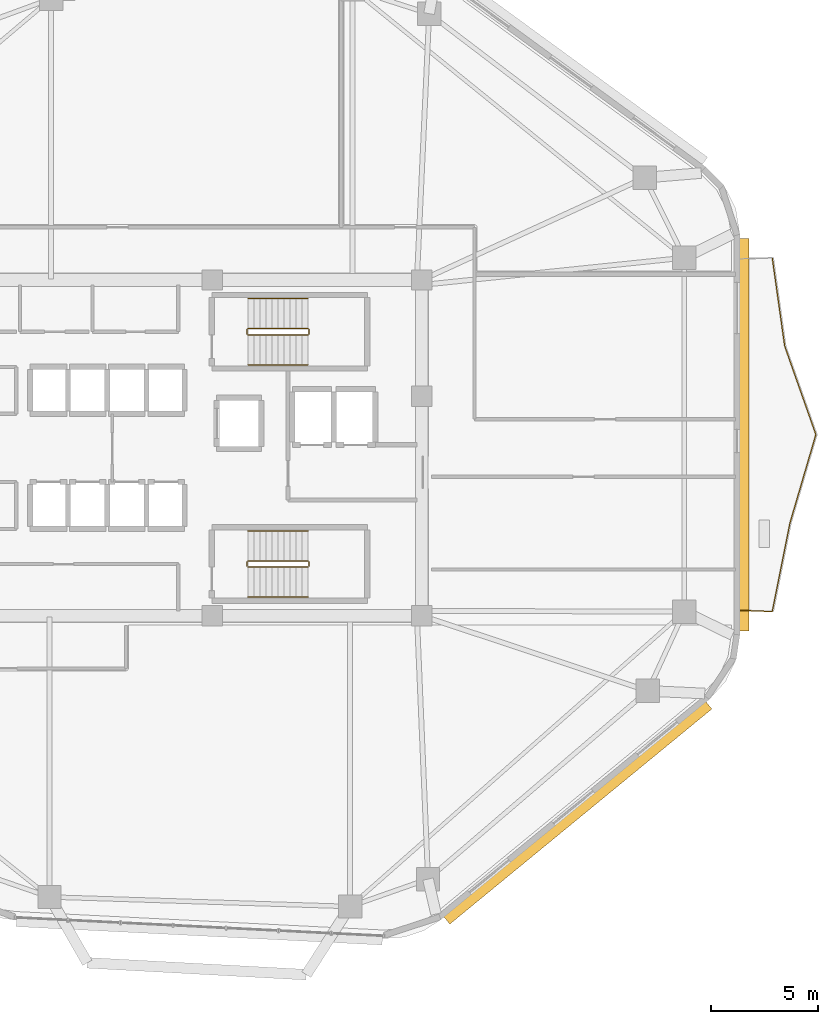
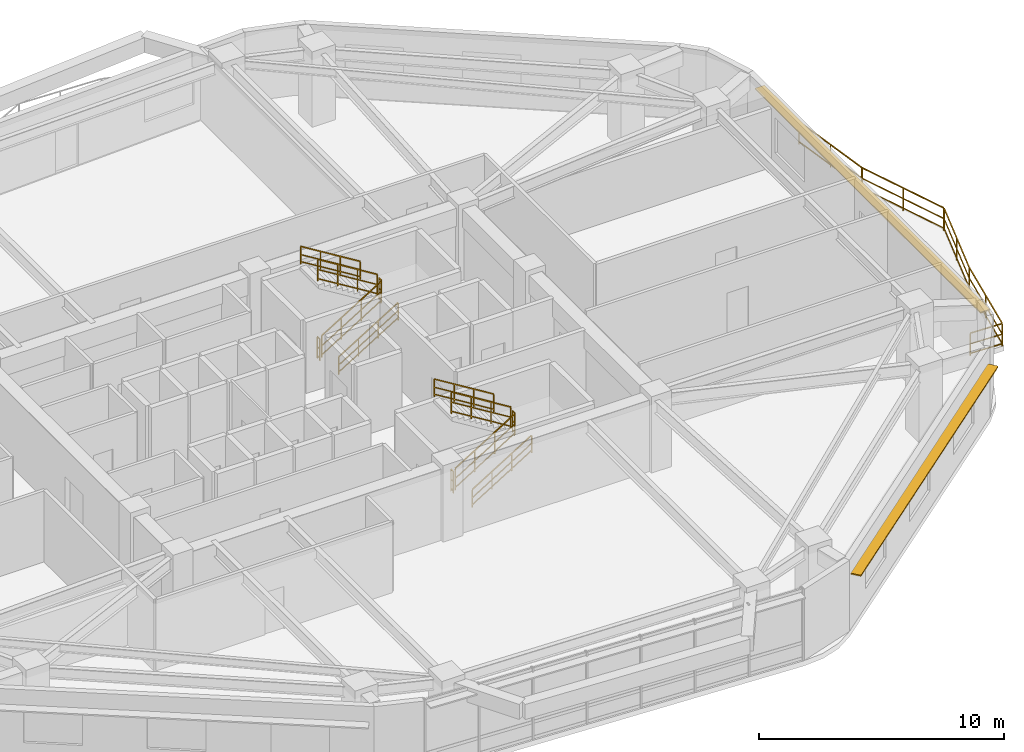
# One storey, part 13 of 14: 17 railings, 2 shading devices.
"""IFC4 building model written with IfcOpenShell, lengths in metres."""

from ifc_helpers import new_model, si_unit, direction, frame, origin, origin_2d, place, context, subcontext, project, spatial, rectangle, extrude, material, layer, layer_set, type_object, element, save


model = new_model("IFC4")

# Units and contexts
model_context = context("Model", 3, precision=1e-05, world=origin(), true_north=direction((0.0, 1.0)))
body_context = subcontext(model_context, "Body", "Model", "MODEL_VIEW")
ifc_project = project(units=[si_unit("LENGTHUNIT", "METRE"), si_unit("AREAUNIT", "SQUARE_METRE"), si_unit("VOLUMEUNIT", "CUBIC_METRE"), si_unit("PLANEANGLEUNIT", "RADIAN"), si_unit("MASSUNIT", "GRAM", prefix="KILO")], contexts=[model_context])

# Site, building, storey
site_placement = place(None, origin())
site = spatial("IfcSite", under=ifc_project, at=site_placement, CompositionType="ELEMENT")
building_placement = place(site_placement, origin())
building = spatial("IfcBuilding", under=site, at=building_placement, Name="Zulverin Broadcast Headquarters", CompositionType="ELEMENT")
storey_placement = place(building_placement, frame((0.0, 0.0, 140.199951171875)))
storey = spatial("IfcBuildingStorey", under=building, at=storey_placement, Name="L35", CompositionType="ELEMENT", Elevation=140.199951171875)

# Railings
ifc_material_1 = material(Name="Brushed stainless steel & laminated glass balustrade", Category="steel")
railing_type_1 = type_object("IfcRailingType", Name="RL-GUARD-1150", PredefinedType="GUARDRAIL", material=ifc_material_1)
railing_1_placement = place(storey_placement, frame((63.239990234375, 17.578369140625, 0.0)))
element("IfcRailing", 1, at=railing_1_placement, inside=storey, type_object=railing_type_1, Name="L35 Vertical-Forest Balcony Guardrail BAL_E Segment 01", PredefinedType="GUARDRAIL", context=body_context, shape_type="SweptSolid", body=[
    extrude(rectangle(XDim=0.048095703125, YDim=0.048095703125, at=origin_2d()), frame((0.0, 0.0, 1.1259765625), z_axis=(0.999174410196, -0.040626321628, 0.0), x_axis=(0.040626321628, 0.999174410196, 0.0)), (0.0, 0.0, 1.0), 1.46630859375),
    extrude(rectangle(XDim=0.0419921875, YDim=0.0419921875, at=origin_2d()), frame((0.0, 0.0, 0.597900390625), z_axis=(0.999174410196, -0.040626321628, 0.0), x_axis=(0.040626321628, 0.999174410196, 0.0)), (0.0, 0.0, 1.0), 1.46630859375),
    extrude(rectangle(XDim=0.0419921875, YDim=0.0419921875, at=origin_2d()), frame((0.0, 0.0, 0.1201171875), z_axis=(0.999174410196, -0.040626321628, 0.0), x_axis=(0.040626321628, 0.999174410196, 0.0)), (0.0, 0.0, 1.0), 1.46630859375),
    extrude(rectangle(XDim=0.0419921875, YDim=0.0419921875, at=origin_2d()), origin(), (0.0, 0.0, 1.0), 1.101806640625),
    extrude(rectangle(XDim=0.0419921875, YDim=0.0419921875, at=origin_2d()), frame((1.465087890625, -0.0595703125, 0.0)), (0.0, 0.0, 1.0), 1.101806640625),
])
railing_2_placement = place(storey_placement, frame((64.722900390625, 17.532958984375, 0.0)))
element("IfcRailing", 2, at=railing_2_placement, inside=storey, type_object=railing_type_1, Name="L35 Vertical-Forest Balcony Guardrail BAL_E Segment 02", PredefinedType="GUARDRAIL", context=body_context, shape_type="SweptSolid", body=[
    extrude(rectangle(XDim=0.048095703125, YDim=0.048095703125, at=origin_2d()), frame((0.0, 0.0, 1.1259765625), z_axis=(0.196339415565, 0.980535993167, 0.0), x_axis=(-0.980535993167, 0.196339415565, 0.0)), (0.0, 0.0, 1.0), 4.205322265625),
    extrude(rectangle(XDim=0.0419921875, YDim=0.0419921875, at=origin_2d()), frame((0.0, 0.0, 0.597900390625), z_axis=(0.196339415565, 0.980535993167, 0.0), x_axis=(-0.980535993167, 0.196339415565, 0.0)), (0.0, 0.0, 1.0), 4.205322265625),
    extrude(rectangle(XDim=0.0419921875, YDim=0.0419921875, at=origin_2d()), frame((0.0, 0.0, 0.1201171875), z_axis=(0.196339415565, 0.980535993167, 0.0), x_axis=(-0.980535993167, 0.196339415565, 0.0)), (0.0, 0.0, 1.0), 4.205322265625),
    extrude(rectangle(XDim=0.0419921875, YDim=0.0419921875, at=origin_2d()), origin(), (0.0, 0.0, 1.0), 1.101806640625),
    extrude(rectangle(XDim=0.0419921875, YDim=0.0419921875, at=origin_2d()), frame((0.412841796875, 2.061767578125, 0.0)), (0.0, 0.0, 1.0), 1.101806640625),
    extrude(rectangle(XDim=0.0419921875, YDim=0.0419921875, at=origin_2d()), frame((0.82568359375, 4.12353515625, 0.0)), (0.0, 0.0, 1.0), 1.101806640625),
])
railing_3_placement = place(storey_placement, frame((65.555908203125, 21.685546875, 0.0)))
element("IfcRailing", 3, at=railing_3_placement, inside=storey, type_object=railing_type_1, Name="L35 Vertical-Forest Balcony Guardrail BAL_E Segment 03", PredefinedType="GUARDRAIL", context=body_context, shape_type="SweptSolid", body=[
    extrude(rectangle(XDim=0.048095703125, YDim=0.048095703125, at=origin_2d()), frame((0.0, 0.0, 1.1259765625), z_axis=(0.281511225046, 0.959557934766, 0.0), x_axis=(-0.959557934766, 0.281511225046, 0.0)), (0.0, 0.0, 1.0), 4.298095703125),
    extrude(rectangle(XDim=0.0419921875, YDim=0.0419921875, at=origin_2d()), frame((0.0, 0.0, 0.597900390625), z_axis=(0.281511225046, 0.959557934766, 0.0), x_axis=(-0.959557934766, 0.281511225046, 0.0)), (0.0, 0.0, 1.0), 4.298095703125),
    extrude(rectangle(XDim=0.0419921875, YDim=0.0419921875, at=origin_2d()), frame((0.0, 0.0, 0.1201171875), z_axis=(0.281511225046, 0.959557934766, 0.0), x_axis=(-0.959557934766, 0.281511225046, 0.0)), (0.0, 0.0, 1.0), 4.298095703125),
    extrude(rectangle(XDim=0.0419921875, YDim=0.0419921875, at=origin_2d()), origin(), (0.0, 0.0, 1.0), 1.101806640625),
    extrude(rectangle(XDim=0.0419921875, YDim=0.0419921875, at=origin_2d()), frame((0.60498046875, 2.06201171875, 0.0)), (0.0, 0.0, 1.0), 1.101806640625),
    extrude(rectangle(XDim=0.0419921875, YDim=0.0419921875, at=origin_2d()), frame((1.2099609375, 4.124267578125, 0.0)), (0.0, 0.0, 1.0), 1.101806640625),
])
railing_4_placement = place(storey_placement, frame((66.764892578125, 25.838134765625, 0.0)))
element("IfcRailing", 4, at=railing_4_placement, inside=storey, type_object=railing_type_1, Name="L35 Vertical-Forest Balcony Guardrail BAL_E Segment 04", PredefinedType="GUARDRAIL", context=body_context, shape_type="SweptSolid", body=[
    extrude(rectangle(XDim=0.048095703125, YDim=0.048095703125, at=origin_2d()), frame((0.0, 0.0, 1.1259765625), z_axis=(-0.33242589248, 0.943129379252, 0.0), x_axis=(-0.943129379252, -0.33242589248, 0.0)), (0.0, 0.0, 1.0), 4.37353515625),
    extrude(rectangle(XDim=0.0419921875, YDim=0.0419921875, at=origin_2d()), frame((0.0, 0.0, 0.597900390625), z_axis=(-0.33242589248, 0.943129379252, 0.0), x_axis=(-0.943129379252, -0.33242589248, 0.0)), (0.0, 0.0, 1.0), 4.37353515625),
    extrude(rectangle(XDim=0.0419921875, YDim=0.0419921875, at=origin_2d()), frame((0.0, 0.0, 0.1201171875), z_axis=(-0.33242589248, 0.943129379252, 0.0), x_axis=(-0.943129379252, -0.33242589248, 0.0)), (0.0, 0.0, 1.0), 4.37353515625),
    extrude(rectangle(XDim=0.0419921875, YDim=0.0419921875, at=origin_2d()), origin(), (0.0, 0.0, 1.0), 1.101806640625),
    extrude(rectangle(XDim=0.0419921875, YDim=0.0419921875, at=origin_2d()), frame((-0.72705078125, 2.0625, 0.0)), (0.0, 0.0, 1.0), 1.101806640625),
    extrude(rectangle(XDim=0.0419921875, YDim=0.0419921875, at=origin_2d()), frame((-1.453857421875, 4.124755859375, 0.0)), (0.0, 0.0, 1.0), 1.101806640625),
])
railing_5_placement = place(storey_placement, frame((65.303955078125, 29.991943359375, 0.0)))
element("IfcRailing", 5, at=railing_5_placement, inside=storey, type_object=railing_type_1, Name="L35 Vertical-Forest Balcony Guardrail BAL_E Segment 05", PredefinedType="GUARDRAIL", context=body_context, shape_type="SweptSolid", body=[
    extrude(rectangle(XDim=0.048095703125, YDim=0.048095703125, at=origin_2d()), frame((0.0, 0.0, 1.1259765625), z_axis=(-0.139721969287, 0.990190775204, 0.0), x_axis=(-0.990190775204, -0.139721969287, 0.0)), (0.0, 0.0, 1.0), 4.163818359375),
    extrude(rectangle(XDim=0.0419921875, YDim=0.0419921875, at=origin_2d()), frame((0.0, 0.0, 0.597900390625), z_axis=(-0.139721969287, 0.990190775204, 0.0), x_axis=(-0.990190775204, -0.139721969287, 0.0)), (0.0, 0.0, 1.0), 4.163818359375),
    extrude(rectangle(XDim=0.0419921875, YDim=0.0419921875, at=origin_2d()), frame((0.0, 0.0, 0.1201171875), z_axis=(-0.139721969287, 0.990190775204, 0.0), x_axis=(-0.990190775204, -0.139721969287, 0.0)), (0.0, 0.0, 1.0), 4.163818359375),
    extrude(rectangle(XDim=0.0419921875, YDim=0.0419921875, at=origin_2d()), origin(), (0.0, 0.0, 1.0), 1.101806640625),
    extrude(rectangle(XDim=0.0419921875, YDim=0.0419921875, at=origin_2d()), frame((-0.291015625, 2.0615234375, 0.0)), (0.0, 0.0, 1.0), 1.101806640625),
    extrude(rectangle(XDim=0.0419921875, YDim=0.0419921875, at=origin_2d()), frame((-0.581787109375, 4.123046875, 0.0)), (0.0, 0.0, 1.0), 1.101806640625),
])
ifc_material_2 = material(Name="Painted galvanized steel tubular guardrail S355JR", Category="steel")
railing_type_2 = type_object("IfcRailingType", Name="RL-ST-GUARD", PredefinedType="GUARDRAIL", material=ifc_material_2)
railing_6_placement = place(storey_placement, frame((40.1298828125, 30.5, 0.1728515625)))
element("IfcRailing", 6, at=railing_6_placement, inside=storey, type_object=railing_type_2, Name="L35 ST-1 stair guard 1", PredefinedType="GUARDRAIL", context=body_context, shape_type="SweptSolid", body=[
    extrude(rectangle(XDim=0.048095703125, YDim=0.048095703125, at=origin_2d()), frame((0.0, 0.0, 1.076171875), z_axis=(0.851089632645, 0.0, 0.525020415988), x_axis=(0.0, 1.0, 0.0)), (0.0, 0.0, 1.0), 3.2900390625),
    extrude(rectangle(XDim=0.0419921875, YDim=0.0419921875, at=origin_2d()), frame((0.0, 0.0, 0.572021484375), z_axis=(0.851089632645, 0.0, 0.525020415988), x_axis=(0.0, 1.0, 0.0)), (0.0, 0.0, 1.0), 3.2900390625),
    extrude(rectangle(XDim=0.0419921875, YDim=0.0419921875, at=origin_2d()), frame((0.0, 0.0, 0.1201171875), z_axis=(0.851089632645, 0.0, 0.525020415988), x_axis=(0.0, 1.0, 0.0)), (0.0, 0.0, 1.0), 3.2900390625),
    extrude(rectangle(XDim=0.0419921875, YDim=0.0419921875, at=origin_2d()), origin(), (0.0, 0.0, 1.0), 1.052001953125),
    extrude(rectangle(XDim=0.0419921875, YDim=0.0419921875, at=origin_2d()), frame((0.933349609375, 0.0, 0.57568359375)), (0.0, 0.0, 1.0), 1.052001953125),
    extrude(rectangle(XDim=0.0419921875, YDim=0.0419921875, at=origin_2d()), frame((1.86669921875, 0.0, 1.151611328125)), (0.0, 0.0, 1.0), 1.052001953125),
    extrude(rectangle(XDim=0.0419921875, YDim=0.0419921875, at=origin_2d()), frame((2.800048828125, 0.0, 1.727294921875)), (0.0, 0.0, 1.0), 1.052001953125),
])
railing_7_placement = place(storey_placement, frame((42.97998046875, 30.550048828125, 1.900146484375)))
element("IfcRailing", 7, at=railing_7_placement, inside=storey, type_object=railing_type_2, Name="L35 ST-1 stair guard 2", PredefinedType="GUARDRAIL", context=body_context, shape_type="SweptSolid", body=[
    extrude(rectangle(XDim=0.048095703125, YDim=0.048095703125, at=origin_2d()), frame((0.0, 0.0, 1.076171875), z_axis=(0.0, 1.0, 0.0), x_axis=(-1.0, 0.0, 0.0)), (0.0, 0.0, 1.0), 0.199951171875),
    extrude(rectangle(XDim=0.0419921875, YDim=0.0419921875, at=origin_2d()), frame((0.0, 0.0, 0.572021484375), z_axis=(0.0, 1.0, 0.0), x_axis=(-1.0, 0.0, 0.0)), (0.0, 0.0, 1.0), 0.199951171875),
    extrude(rectangle(XDim=0.0419921875, YDim=0.0419921875, at=origin_2d()), frame((0.0, 0.0, 0.1201171875), z_axis=(0.0, 1.0, 0.0), x_axis=(-1.0, 0.0, 0.0)), (0.0, 0.0, 1.0), 0.199951171875),
    extrude(rectangle(XDim=0.0419921875, YDim=0.0419921875, at=origin_2d()), origin(), (0.0, 0.0, 1.0), 1.052001953125),
    extrude(rectangle(XDim=0.0419921875, YDim=0.0419921875, at=origin_2d()), frame((0.0, 0.199951171875, 0.0)), (0.0, 0.0, 1.0), 1.052001953125),
])
railing_8_placement = place(storey_placement, frame((42.929931640625, 30.800048828125, 2.07275390625)))
element("IfcRailing", 8, at=railing_8_placement, inside=storey, type_object=railing_type_2, Name="L35 ST-1 stair guard 3", PredefinedType="GUARDRAIL", context=body_context, shape_type="SweptSolid", body=[
    extrude(rectangle(XDim=0.048095703125, YDim=0.048095703125, at=origin_2d()), frame((0.0, 0.0, 1.076171875), z_axis=(-0.851089632645, 0.0, 0.525020415988), x_axis=(0.0, -1.0, 0.0)), (0.0, 0.0, 1.0), 3.2900390625),
    extrude(rectangle(XDim=0.0419921875, YDim=0.0419921875, at=origin_2d()), frame((0.0, 0.0, 0.572021484375), z_axis=(-0.851089632645, 0.0, 0.525020415988), x_axis=(0.0, -1.0, 0.0)), (0.0, 0.0, 1.0), 3.2900390625),
    extrude(rectangle(XDim=0.0419921875, YDim=0.0419921875, at=origin_2d()), frame((0.0, 0.0, 0.1201171875), z_axis=(-0.851089632645, 0.0, 0.525020415988), x_axis=(0.0, -1.0, 0.0)), (0.0, 0.0, 1.0), 3.2900390625),
    extrude(rectangle(XDim=0.0419921875, YDim=0.0419921875, at=origin_2d()), origin(), (0.0, 0.0, 1.0), 1.052001953125),
    extrude(rectangle(XDim=0.0419921875, YDim=0.0419921875, at=origin_2d()), frame((-0.933349609375, 0.0, 0.57568359375)), (0.0, 0.0, 1.0), 1.052001953125),
    extrude(rectangle(XDim=0.0419921875, YDim=0.0419921875, at=origin_2d()), frame((-1.86669921875, 0.0, 1.151611328125)), (0.0, 0.0, 1.0), 1.052001953125),
    extrude(rectangle(XDim=0.0419921875, YDim=0.0419921875, at=origin_2d()), frame((-2.800048828125, 0.0, 1.727294921875)), (0.0, 0.0, 1.0), 1.052001953125),
])
railing_9_placement = place(storey_placement, frame((40.080078125, 30.550048828125, 0.0)))
element("IfcRailing", 9, at=railing_9_placement, inside=storey, type_object=railing_type_2, Name="L35 ST-1 stair guard 4", PredefinedType="GUARDRAIL", context=body_context, shape_type="SweptSolid", body=[
    extrude(rectangle(XDim=0.048095703125, YDim=0.048095703125, at=origin_2d()), frame((0.0, 0.0, 1.076171875), z_axis=(0.0, 1.0, 0.0), x_axis=(-1.0, 0.0, 0.0)), (0.0, 0.0, 1.0), 0.199951171875),
    extrude(rectangle(XDim=0.0419921875, YDim=0.0419921875, at=origin_2d()), frame((0.0, 0.0, 0.572021484375), z_axis=(0.0, 1.0, 0.0), x_axis=(-1.0, 0.0, 0.0)), (0.0, 0.0, 1.0), 0.199951171875),
    extrude(rectangle(XDim=0.0419921875, YDim=0.0419921875, at=origin_2d()), frame((0.0, 0.0, 0.1201171875), z_axis=(0.0, 1.0, 0.0), x_axis=(-1.0, 0.0, 0.0)), (0.0, 0.0, 1.0), 0.199951171875),
    extrude(rectangle(XDim=0.0419921875, YDim=0.0419921875, at=origin_2d()), origin(), (0.0, 0.0, 1.0), 1.052001953125),
    extrude(rectangle(XDim=0.0419921875, YDim=0.0419921875, at=origin_2d()), frame((0.0, 0.199951171875, 0.0)), (0.0, 0.0, 1.0), 1.052001953125),
])
railing_10_placement = place(storey_placement, frame((40.1298828125, 19.60009765625, 0.1728515625)))
element("IfcRailing", 10, at=railing_10_placement, inside=storey, type_object=railing_type_2, Name="L35 ST-2 stair guard 1", PredefinedType="GUARDRAIL", context=body_context, shape_type="SweptSolid", body=[
    extrude(rectangle(XDim=0.048095703125, YDim=0.048095703125, at=origin_2d()), frame((0.0, 0.0, 1.076171875), z_axis=(0.851089632645, 0.0, 0.525020415988), x_axis=(0.0, 1.0, 0.0)), (0.0, 0.0, 1.0), 3.2900390625),
    extrude(rectangle(XDim=0.0419921875, YDim=0.0419921875, at=origin_2d()), frame((0.0, 0.0, 0.572021484375), z_axis=(0.851089632645, 0.0, 0.525020415988), x_axis=(0.0, 1.0, 0.0)), (0.0, 0.0, 1.0), 3.2900390625),
    extrude(rectangle(XDim=0.0419921875, YDim=0.0419921875, at=origin_2d()), frame((0.0, 0.0, 0.1201171875), z_axis=(0.851089632645, 0.0, 0.525020415988), x_axis=(0.0, 1.0, 0.0)), (0.0, 0.0, 1.0), 3.2900390625),
    extrude(rectangle(XDim=0.0419921875, YDim=0.0419921875, at=origin_2d()), origin(), (0.0, 0.0, 1.0), 1.052001953125),
    extrude(rectangle(XDim=0.0419921875, YDim=0.0419921875, at=origin_2d()), frame((0.933349609375, 0.0, 0.57568359375)), (0.0, 0.0, 1.0), 1.052001953125),
    extrude(rectangle(XDim=0.0419921875, YDim=0.0419921875, at=origin_2d()), frame((1.86669921875, 0.0, 1.151611328125)), (0.0, 0.0, 1.0), 1.052001953125),
    extrude(rectangle(XDim=0.0419921875, YDim=0.0419921875, at=origin_2d()), frame((2.800048828125, 0.0, 1.727294921875)), (0.0, 0.0, 1.0), 1.052001953125),
])
railing_11_placement = place(storey_placement, frame((42.97998046875, 19.64990234375, 1.900146484375)))
element("IfcRailing", 11, at=railing_11_placement, inside=storey, type_object=railing_type_2, Name="L35 ST-2 stair guard 2", PredefinedType="GUARDRAIL", context=body_context, shape_type="SweptSolid", body=[
    extrude(rectangle(XDim=0.048095703125, YDim=0.048095703125, at=origin_2d()), frame((0.0, 0.0, 1.076171875), z_axis=(0.0, 1.0, 0.0), x_axis=(-1.0, 0.0, 0.0)), (0.0, 0.0, 1.0), 0.2001953125),
    extrude(rectangle(XDim=0.0419921875, YDim=0.0419921875, at=origin_2d()), frame((0.0, 0.0, 0.572021484375), z_axis=(0.0, 1.0, 0.0), x_axis=(-1.0, 0.0, 0.0)), (0.0, 0.0, 1.0), 0.2001953125),
    extrude(rectangle(XDim=0.0419921875, YDim=0.0419921875, at=origin_2d()), frame((0.0, 0.0, 0.1201171875), z_axis=(0.0, 1.0, 0.0), x_axis=(-1.0, 0.0, 0.0)), (0.0, 0.0, 1.0), 0.2001953125),
    extrude(rectangle(XDim=0.0419921875, YDim=0.0419921875, at=origin_2d()), origin(), (0.0, 0.0, 1.0), 1.052001953125),
    extrude(rectangle(XDim=0.0419921875, YDim=0.0419921875, at=origin_2d()), frame((0.0, 0.2001953125, 0.0)), (0.0, 0.0, 1.0), 1.052001953125),
])
railing_12_placement = place(storey_placement, frame((42.929931640625, 19.89990234375, 2.07275390625)))
element("IfcRailing", 12, at=railing_12_placement, inside=storey, type_object=railing_type_2, Name="L35 ST-2 stair guard 3", PredefinedType="GUARDRAIL", context=body_context, shape_type="SweptSolid", body=[
    extrude(rectangle(XDim=0.048095703125, YDim=0.048095703125, at=origin_2d()), frame((0.0, 0.0, 1.076171875), z_axis=(-0.851089632645, 0.0, 0.525020415988), x_axis=(0.0, -1.0, 0.0)), (0.0, 0.0, 1.0), 3.2900390625),
    extrude(rectangle(XDim=0.0419921875, YDim=0.0419921875, at=origin_2d()), frame((0.0, 0.0, 0.572021484375), z_axis=(-0.851089632645, 0.0, 0.525020415988), x_axis=(0.0, -1.0, 0.0)), (0.0, 0.0, 1.0), 3.2900390625),
    extrude(rectangle(XDim=0.0419921875, YDim=0.0419921875, at=origin_2d()), frame((0.0, 0.0, 0.1201171875), z_axis=(-0.851089632645, 0.0, 0.525020415988), x_axis=(0.0, -1.0, 0.0)), (0.0, 0.0, 1.0), 3.2900390625),
    extrude(rectangle(XDim=0.0419921875, YDim=0.0419921875, at=origin_2d()), origin(), (0.0, 0.0, 1.0), 1.052001953125),
    extrude(rectangle(XDim=0.0419921875, YDim=0.0419921875, at=origin_2d()), frame((-0.933349609375, 0.0, 0.57568359375)), (0.0, 0.0, 1.0), 1.052001953125),
    extrude(rectangle(XDim=0.0419921875, YDim=0.0419921875, at=origin_2d()), frame((-1.86669921875, 0.0, 1.151611328125)), (0.0, 0.0, 1.0), 1.052001953125),
    extrude(rectangle(XDim=0.0419921875, YDim=0.0419921875, at=origin_2d()), frame((-2.800048828125, 0.0, 1.727294921875)), (0.0, 0.0, 1.0), 1.052001953125),
])
railing_13_placement = place(storey_placement, frame((40.080078125, 19.64990234375, 0.0)))
element("IfcRailing", 13, at=railing_13_placement, inside=storey, type_object=railing_type_2, Name="L35 ST-2 stair guard 4", PredefinedType="GUARDRAIL", context=body_context, shape_type="SweptSolid", body=[
    extrude(rectangle(XDim=0.048095703125, YDim=0.048095703125, at=origin_2d()), frame((0.0, 0.0, 1.076171875), z_axis=(0.0, 1.0, 0.0), x_axis=(-1.0, 0.0, 0.0)), (0.0, 0.0, 1.0), 0.2001953125),
    extrude(rectangle(XDim=0.0419921875, YDim=0.0419921875, at=origin_2d()), frame((0.0, 0.0, 0.572021484375), z_axis=(0.0, 1.0, 0.0), x_axis=(-1.0, 0.0, 0.0)), (0.0, 0.0, 1.0), 0.2001953125),
    extrude(rectangle(XDim=0.0419921875, YDim=0.0419921875, at=origin_2d()), frame((0.0, 0.0, 0.1201171875), z_axis=(0.0, 1.0, 0.0), x_axis=(-1.0, 0.0, 0.0)), (0.0, 0.0, 1.0), 0.2001953125),
    extrude(rectangle(XDim=0.0419921875, YDim=0.0419921875, at=origin_2d()), origin(), (0.0, 0.0, 1.0), 1.052001953125),
    extrude(rectangle(XDim=0.0419921875, YDim=0.0419921875, at=origin_2d()), frame((0.0, 0.2001953125, 0.0)), (0.0, 0.0, 1.0), 1.052001953125),
])
ifc_material_3 = material(Name="Brushed stainless steel 48 mm handrail", Category="steel")
railing_type_3 = type_object("IfcRailingType", Name="RL-ST-HAND", PredefinedType="HANDRAIL", material=ifc_material_3)
railing_14_placement = place(storey_placement, frame((40.1298828125, 29.10009765625, 0.1728515625)))
element("IfcRailing", 14, at=railing_14_placement, inside=storey, type_object=railing_type_3, Name="L35 ST-1 stair handrail 1", PredefinedType="HANDRAIL", context=body_context, shape_type="SweptSolid", body=[
    extrude(rectangle(XDim=0.048095703125, YDim=0.048095703125, at=origin_2d()), frame((0.0, 0.0, 0.8759765625), z_axis=(0.851089632645, 0.0, 0.525020415988), x_axis=(0.0, 1.0, 0.0)), (0.0, 0.0, 1.0), 3.2900390625),
    extrude(rectangle(XDim=0.0419921875, YDim=0.0419921875, at=origin_2d()), frame((0.0, 0.0, 0.468017578125), z_axis=(0.851089632645, 0.0, 0.525020415988), x_axis=(0.0, 1.0, 0.0)), (0.0, 0.0, 1.0), 3.2900390625),
    extrude(rectangle(XDim=0.0419921875, YDim=0.0419921875, at=origin_2d()), frame((0.0, 0.0, 0.1201171875), z_axis=(0.851089632645, 0.0, 0.525020415988), x_axis=(0.0, 1.0, 0.0)), (0.0, 0.0, 1.0), 3.2900390625),
    extrude(rectangle(XDim=0.0419921875, YDim=0.0419921875, at=origin_2d()), origin(), (0.0, 0.0, 1.0), 0.851806640625),
    extrude(rectangle(XDim=0.0419921875, YDim=0.0419921875, at=origin_2d()), frame((0.933349609375, 0.0, 0.57568359375)), (0.0, 0.0, 1.0), 0.851806640625),
    extrude(rectangle(XDim=0.0419921875, YDim=0.0419921875, at=origin_2d()), frame((1.86669921875, 0.0, 1.151611328125)), (0.0, 0.0, 1.0), 0.851806640625),
    extrude(rectangle(XDim=0.0419921875, YDim=0.0419921875, at=origin_2d()), frame((2.800048828125, 0.0, 1.727294921875)), (0.0, 0.0, 1.0), 0.851806640625),
])
railing_15_placement = place(storey_placement, frame((42.929931640625, 32.199951171875, 2.07275390625)))
element("IfcRailing", 15, at=railing_15_placement, inside=storey, type_object=railing_type_3, Name="L35 ST-1 stair handrail 2", PredefinedType="HANDRAIL", context=body_context, shape_type="SweptSolid", body=[
    extrude(rectangle(XDim=0.048095703125, YDim=0.048095703125, at=origin_2d()), frame((0.0, 0.0, 0.8759765625), z_axis=(-0.851089632645, 0.0, 0.525020415988), x_axis=(0.0, -1.0, 0.0)), (0.0, 0.0, 1.0), 3.2900390625),
    extrude(rectangle(XDim=0.0419921875, YDim=0.0419921875, at=origin_2d()), frame((0.0, 0.0, 0.468017578125), z_axis=(-0.851089632645, 0.0, 0.525020415988), x_axis=(0.0, -1.0, 0.0)), (0.0, 0.0, 1.0), 3.2900390625),
    extrude(rectangle(XDim=0.0419921875, YDim=0.0419921875, at=origin_2d()), frame((0.0, 0.0, 0.1201171875), z_axis=(-0.851089632645, 0.0, 0.525020415988), x_axis=(0.0, -1.0, 0.0)), (0.0, 0.0, 1.0), 3.2900390625),
    extrude(rectangle(XDim=0.0419921875, YDim=0.0419921875, at=origin_2d()), origin(), (0.0, 0.0, 1.0), 0.851806640625),
    extrude(rectangle(XDim=0.0419921875, YDim=0.0419921875, at=origin_2d()), frame((-0.933349609375, 0.0, 0.57568359375)), (0.0, 0.0, 1.0), 0.851806640625),
    extrude(rectangle(XDim=0.0419921875, YDim=0.0419921875, at=origin_2d()), frame((-1.86669921875, 0.0, 1.151611328125)), (0.0, 0.0, 1.0), 0.851806640625),
    extrude(rectangle(XDim=0.0419921875, YDim=0.0419921875, at=origin_2d()), frame((-2.800048828125, 0.0, 1.727294921875)), (0.0, 0.0, 1.0), 0.851806640625),
])
railing_16_placement = place(storey_placement, frame((40.1298828125, 18.199951171875, 0.1728515625)))
element("IfcRailing", 16, at=railing_16_placement, inside=storey, type_object=railing_type_3, Name="L35 ST-2 stair handrail 1", PredefinedType="HANDRAIL", context=body_context, shape_type="SweptSolid", body=[
    extrude(rectangle(XDim=0.048095703125, YDim=0.048095703125, at=origin_2d()), frame((0.0, 0.0, 0.8759765625), z_axis=(0.851089632645, 0.0, 0.525020415988), x_axis=(0.0, 1.0, 0.0)), (0.0, 0.0, 1.0), 3.2900390625),
    extrude(rectangle(XDim=0.0419921875, YDim=0.0419921875, at=origin_2d()), frame((0.0, 0.0, 0.468017578125), z_axis=(0.851089632645, 0.0, 0.525020415988), x_axis=(0.0, 1.0, 0.0)), (0.0, 0.0, 1.0), 3.2900390625),
    extrude(rectangle(XDim=0.0419921875, YDim=0.0419921875, at=origin_2d()), frame((0.0, 0.0, 0.1201171875), z_axis=(0.851089632645, 0.0, 0.525020415988), x_axis=(0.0, 1.0, 0.0)), (0.0, 0.0, 1.0), 3.2900390625),
    extrude(rectangle(XDim=0.0419921875, YDim=0.0419921875, at=origin_2d()), origin(), (0.0, 0.0, 1.0), 0.851806640625),
    extrude(rectangle(XDim=0.0419921875, YDim=0.0419921875, at=origin_2d()), frame((0.933349609375, 0.0, 0.57568359375)), (0.0, 0.0, 1.0), 0.851806640625),
    extrude(rectangle(XDim=0.0419921875, YDim=0.0419921875, at=origin_2d()), frame((1.86669921875, 0.0, 1.151611328125)), (0.0, 0.0, 1.0), 0.851806640625),
    extrude(rectangle(XDim=0.0419921875, YDim=0.0419921875, at=origin_2d()), frame((2.800048828125, 0.0, 1.727294921875)), (0.0, 0.0, 1.0), 0.851806640625),
])
railing_17_placement = place(storey_placement, frame((42.929931640625, 21.300048828125, 2.07275390625)))
element("IfcRailing", 17, at=railing_17_placement, inside=storey, type_object=railing_type_3, Name="L35 ST-2 stair handrail 2", PredefinedType="HANDRAIL", context=body_context, shape_type="SweptSolid", body=[
    extrude(rectangle(XDim=0.048095703125, YDim=0.048095703125, at=origin_2d()), frame((0.0, 0.0, 0.8759765625), z_axis=(-0.851089632645, 0.0, 0.525020415988), x_axis=(0.0, -1.0, 0.0)), (0.0, 0.0, 1.0), 3.2900390625),
    extrude(rectangle(XDim=0.0419921875, YDim=0.0419921875, at=origin_2d()), frame((0.0, 0.0, 0.468017578125), z_axis=(-0.851089632645, 0.0, 0.525020415988), x_axis=(0.0, -1.0, 0.0)), (0.0, 0.0, 1.0), 3.2900390625),
    extrude(rectangle(XDim=0.0419921875, YDim=0.0419921875, at=origin_2d()), frame((0.0, 0.0, 0.1201171875), z_axis=(-0.851089632645, 0.0, 0.525020415988), x_axis=(0.0, -1.0, 0.0)), (0.0, 0.0, 1.0), 3.2900390625),
    extrude(rectangle(XDim=0.0419921875, YDim=0.0419921875, at=origin_2d()), origin(), (0.0, 0.0, 1.0), 0.851806640625),
    extrude(rectangle(XDim=0.0419921875, YDim=0.0419921875, at=origin_2d()), frame((-0.933349609375, 0.0, 0.57568359375)), (0.0, 0.0, 1.0), 0.851806640625),
    extrude(rectangle(XDim=0.0419921875, YDim=0.0419921875, at=origin_2d()), frame((-1.86669921875, 0.0, 1.151611328125)), (0.0, 0.0, 1.0), 0.851806640625),
    extrude(rectangle(XDim=0.0419921875, YDim=0.0419921875, at=origin_2d()), frame((-2.800048828125, 0.0, 1.727294921875)), (0.0, 0.0, 1.0), 0.851806640625),
])

# Shading devices
ifc_material_4 = material(Name="Anodized pale-metal aluminium sunshade", Category="aluminium")
ifc_layer = layer(ifc_material_4, 0.06005859375, Name="Anodized pale-metal aluminium sunshade", Category="aluminium")
ifc_layer_set = layer_set([ifc_layer], Name="Anodized pale-metal aluminium sunshade")
shading_device_type = type_object("IfcShadingDeviceType", Name="SS-01_PALE_METAL_ALUMINIUM_SUNSHADE", PredefinedType="USERDEFINED", material=ifc_layer_set)
shading_device_1_placement = place(storey_placement, frame((55.598388671875, 8.075439453125, 2.7099609375), z_axis=(0.0, 0.0, 1.0), x_axis=(0.77293958613, 0.634479626302, 0.0)))
element("IfcShadingDevice", 18, at=shading_device_1_placement, inside=storey, type_object=shading_device_type, Name="L35 Horizontal Pale-Metal Sunshade Band 2", ObjectType="SUNSHADE", PredefinedType="USERDEFINED", context=body_context, shape_type="SweptSolid", body=[
    extrude(rectangle(XDim=15.90869140625, YDim=0.449951171875, at=origin_2d()), origin(), (0.0, 0.0, 1.0), 0.06005859375),
])
shading_device_2_placement = place(storey_placement, frame((63.39990234375, 25.82421875, 2.7099609375), z_axis=(0.0, 0.0, 1.0), x_axis=(0.0, 1.0, 0.0)))
element("IfcShadingDevice", 19, at=shading_device_2_placement, inside=storey, type_object=shading_device_type, Name="L35 Horizontal Pale-Metal Sunshade Band 3", ObjectType="SUNSHADE", PredefinedType="USERDEFINED", context=body_context, shape_type="SweptSolid", body=[
    extrude(rectangle(XDim=18.41162109375, YDim=0.449951171875, at=origin_2d()), origin(), (0.0, 0.0, 1.0), 0.06005859375),
])

save(model, "model.ifc")
